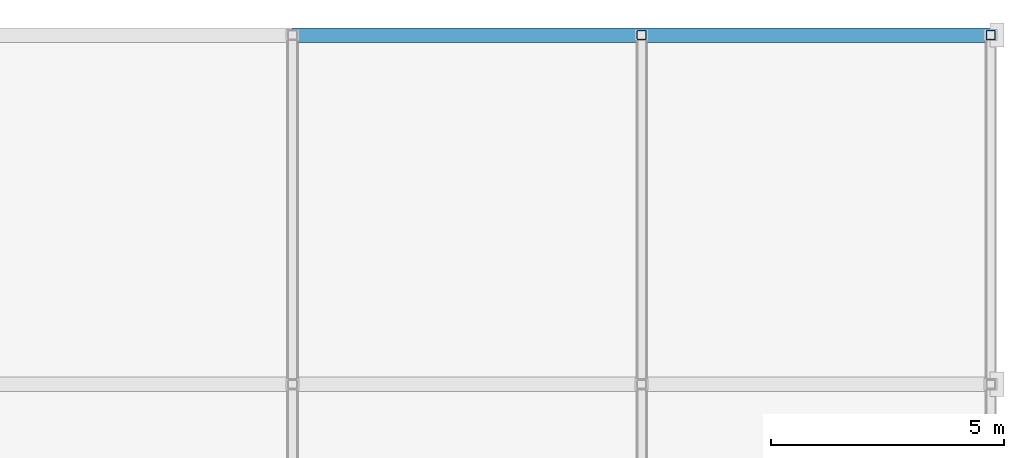
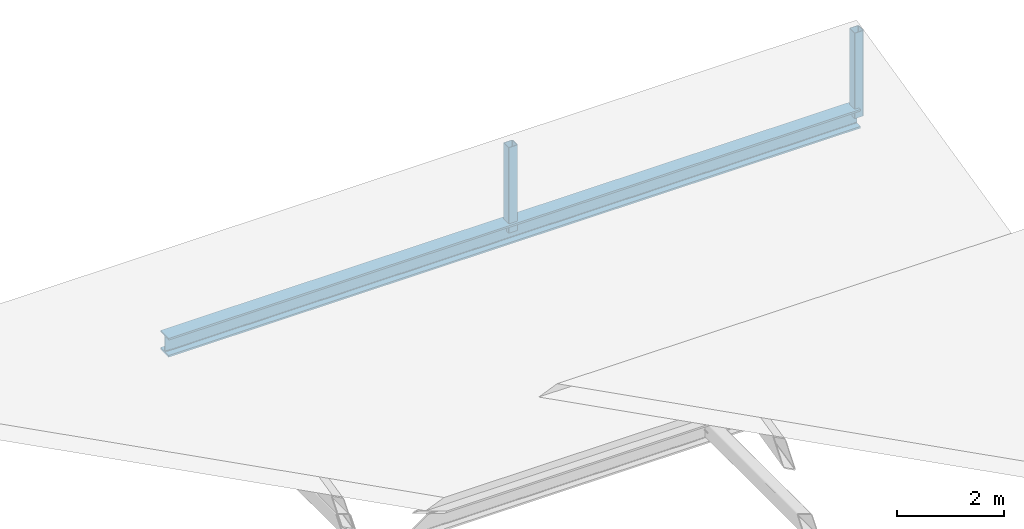
# One storey, part 49 of 82: 3 members.
"""IFC4 building model written with IfcOpenShell, lengths in metres."""

from ifc_helpers import new_model, si_unit, direction, frame, origin, origin_2d, place, context, subcontext, project, spatial, hollow_rectangle, i_section, extrude, material, material_profile, profile_set, type_object, element, save


model = new_model("IFC4")

# Units and contexts
model_context = context("Model", 3, precision=1e-05, world=origin(), true_north=direction((0.0, 1.0)))
body_context = subcontext(model_context, "Body", "Model", "MODEL_VIEW")
ifc_project = project(units=[si_unit("LENGTHUNIT", "METRE"), si_unit("AREAUNIT", "SQUARE_METRE"), si_unit("VOLUMEUNIT", "CUBIC_METRE"), si_unit("PLANEANGLEUNIT", "RADIAN"), si_unit("MASSUNIT", "GRAM", prefix="KILO")], contexts=[model_context])

# Site, building, storey
site_placement = place(None, origin())
site = spatial("IfcSite", under=ifc_project, at=site_placement, CompositionType="ELEMENT")
building_placement = place(site_placement, origin())
building = spatial("IfcBuilding", under=site, at=building_placement, Name="Qasida Concert Hall", CompositionType="ELEMENT")
storey_placement = place(building_placement, frame((0.0, 0.0, 17.10009765625)))
storey = spatial("IfcBuildingStorey", under=building, at=storey_placement, Name="L04", CompositionType="ELEMENT", Elevation=17.10009765625)

# Members
ifc_material = material(Name="Steel S355J2", Category="steel")
ifc_material_profile_1 = material_profile(ifc_material, i_section(OverallWidth=0.306884765625, OverallDepth=0.431884765625, WebThickness=0.02099609375, FlangeThickness=0.0400390625, FilletRadius=0.027099609375, at=origin_2d()), Name="HEM 400")
ifc_profile_set_1 = profile_set([ifc_material_profile_1], Name="Steel S355J2")
member_type_1 = type_object("IfcMemberType", Name="MB-CH3", PredefinedType="CHORD", material=ifc_profile_set_1)
member_placement = place(storey_placement, frame((150.0, 112.5, 0.0), z_axis=(1.0, 0.0, 0.0), x_axis=(0.0, 1.0, 0.0)))
element("IfcMember", 1, at=member_placement, inside=storey, type_object=member_type_1, Name="Roof truss sawtooth bottom chord V4T-012", PredefinedType="CHORD", context=body_context, shape_type="SweptSolid", body=[
    extrude(i_section(OverallWidth=0.306884765625, OverallDepth=0.431884765625, WebThickness=0.02099609375, FlangeThickness=0.0400390625, FilletRadius=0.027099609375, at=origin_2d()), origin(), (0.0, 0.0, 1.0), 15.0),
])
ifc_material_profile_2 = material_profile(ifc_material, hollow_rectangle(XDim=0.199951171875, YDim=0.199951171875, WallThickness=0.010009765625, InnerFilletRadius=0.010009765625, OuterFilletRadius=0.02001953125, at=origin_2d()), Name="SHS 200x200x10")
ifc_profile_set_2 = profile_set([ifc_material_profile_2], Name="Steel S355J2")
member_type_2 = type_object("IfcMemberType", Name="MB-ST6", PredefinedType="STRUT", material=ifc_profile_set_2)
for number, where, z_axis, x_axis, name in (
    (2, (157.5, 112.5, 0.0), (0.0, 0.0, 1.0), (1.0, 0.0, 0.0), "Roof truss sawtooth post V4V-099"),
    (3, (165.0, 112.5, 0.0), (0.0, 0.0, 1.0), (1.0, 0.0, 0.0), "Roof truss sawtooth post V4V-102"),
):
    element("IfcMember", number, at=place(storey_placement, frame(where, z_axis=z_axis, x_axis=x_axis)), inside=storey, type_object=member_type_2, Name=name, PredefinedType="STRUT", context=body_context, shape_type="SweptSolid", body=[
        extrude(hollow_rectangle(XDim=0.199951171875, YDim=0.199951171875, WallThickness=0.010009765625, InnerFilletRadius=0.010009765625, OuterFilletRadius=0.02001953125, at=origin_2d()), origin(), (0.0, 0.0, 1.0), 1.9599609375),
    ])

save(model, "model.ifc")
